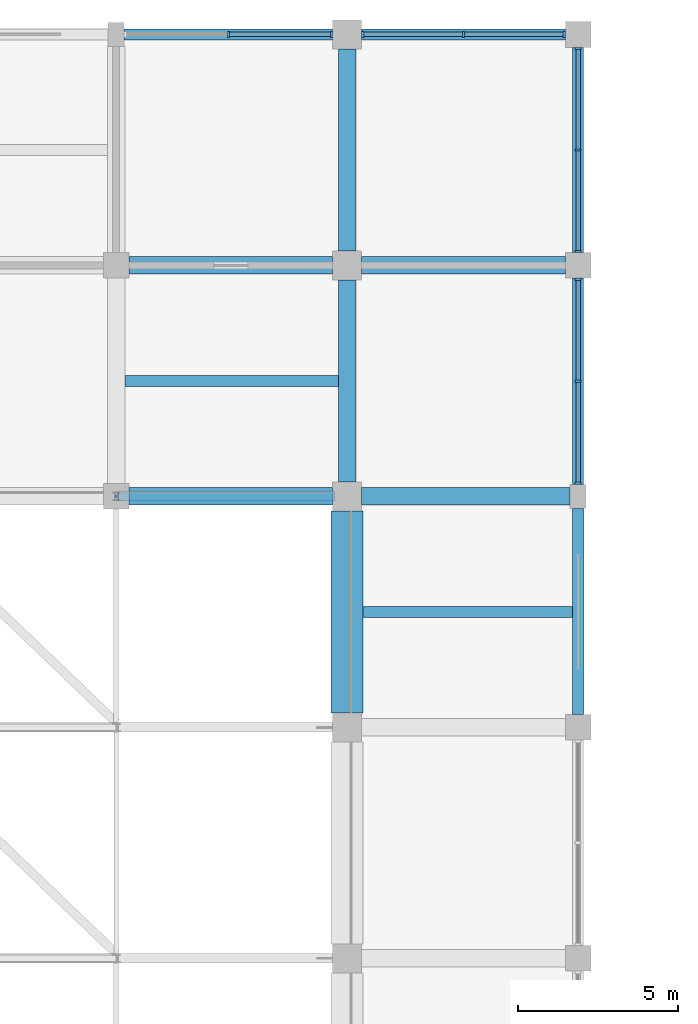
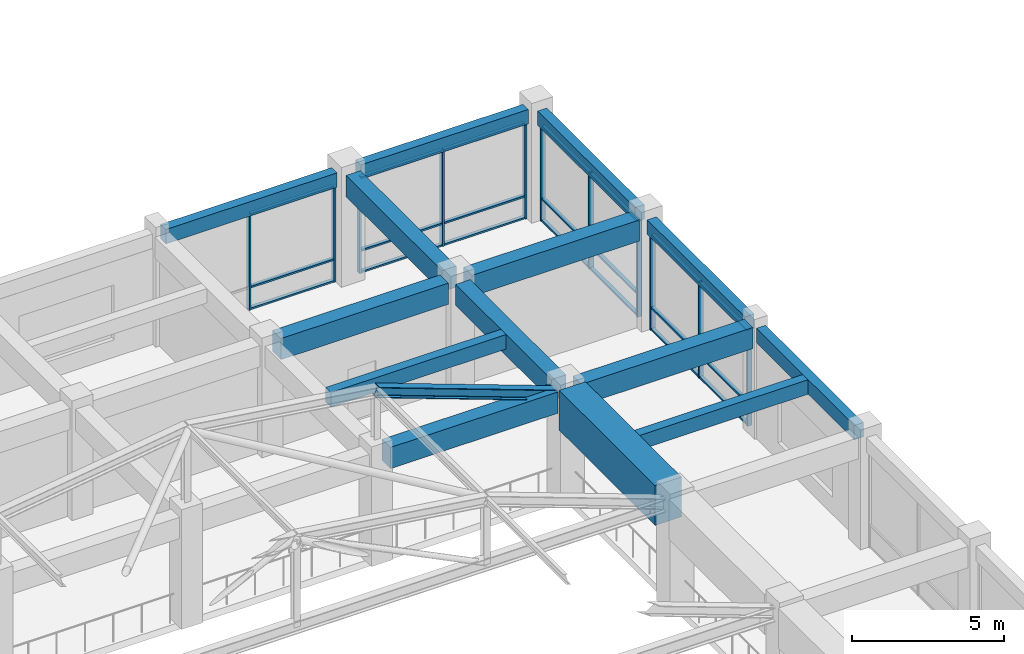
# One storey, part 27 of 75: 33 members, 14 beams, 4 elements without a shape of their own.
"""IFC4 building model written with IfcOpenShell, lengths in metres."""

from ifc_helpers import new_model, si_unit, direction, frame, origin, origin_2d, place, context, subcontext, project, spatial, rectangle, i_section, extrude, material, layer, layer_set, material_profile, profile_set, type_object, element, aggregate, save


model = new_model("IFC4")

# Units and contexts
model_context = context("Model", 3, precision=1e-05, world=origin(), true_north=direction((0.0, 1.0)))
body_context = subcontext(model_context, "Body", "Model", "MODEL_VIEW")
ifc_project = project(units=[si_unit("LENGTHUNIT", "METRE"), si_unit("AREAUNIT", "SQUARE_METRE"), si_unit("VOLUMEUNIT", "CUBIC_METRE"), si_unit("PLANEANGLEUNIT", "RADIAN"), si_unit("MASSUNIT", "GRAM", prefix="KILO")], contexts=[model_context])

# Site, building, storey
site_placement = place(None, origin())
site = spatial("IfcSite", under=ifc_project, at=site_placement, CompositionType="ELEMENT")
building_placement = place(site_placement, origin())
building = spatial("IfcBuilding", under=site, at=building_placement, Name="Cendaluz Park School", CompositionType="ELEMENT")
storey_placement = place(building_placement, frame((0.0, 0.0, 4.800048828125)))
storey = spatial("IfcBuildingStorey", under=building, at=storey_placement, Name="L01", CompositionType="ELEMENT", Elevation=4.800048828125)

# Beams
ifc_material_1 = material(Name="Concrete C40/50", Category="concrete")
ifc_material_profile_1 = material_profile(ifc_material_1, rectangle(XDim=0.550048828125, YDim=0.85009765625, at=origin_2d()), Name="RC 550x850", Category="concrete")
ifc_profile_set_1 = profile_set([ifc_material_profile_1], Name="Concrete C40/50")
beam_type_1 = type_object("IfcBeamType", Name="BM-RC01", PredefinedType="BEAM", material=ifc_profile_set_1)
for number, where, z_axis, x_axis, name in (
    (1, (29.199951171875, 100.800048828125, 4.0048828125), (1.0, 0.0, 0.0), (0.0, 1.0, 0.0), "BM-L01-BMRC01-0050"),
    (2, (29.199951171875, 108.0, 4.0048828125), (1.0, 0.0, 0.0), (0.0, 1.0, 0.0), "BM-L01-BMRC01-0051"),
):
    element("IfcBeam", number, at=place(storey_placement, frame(where, z_axis=z_axis, x_axis=x_axis)), inside=storey, type_object=beam_type_1, Name=name, PredefinedType="BEAM", context=body_context, shape_type="SweptSolid", body=[
        extrude(rectangle(XDim=0.550048828125, YDim=0.85009765625, at=origin_2d()), origin(), (0.0, 0.0, 1.0), 6.35009765625),
    ])
beam_1_placement = place(storey_placement, frame((36.449951171875, 100.800048828125, 4.0048828125), z_axis=(1.0, 0.0, 0.0), x_axis=(0.0, 1.0, 0.0)))
element("IfcBeam", 3, at=beam_1_placement, inside=storey, type_object=beam_type_1, Name="BM-L01-BMRC01-0066", PredefinedType="BEAM", context=body_context, shape_type="SweptSolid", body=[
    extrude(rectangle(XDim=0.550048828125, YDim=0.85009765625, at=origin_2d()), origin(), (0.0, 0.0, 1.0), 6.5),
])
beam_2_placement = place(storey_placement, frame((36.449951171875, 108.0, 4.0048828125), z_axis=(1.0, 0.0, 0.0), x_axis=(0.0, 1.0, 0.0)))
element("IfcBeam", 4, at=beam_2_placement, inside=storey, type_object=beam_type_1, Name="BM-L01-BMRC01-0067", PredefinedType="BEAM", context=body_context, shape_type="SweptSolid", body=[
    extrude(rectangle(XDim=0.550048828125, YDim=0.85009765625, at=origin_2d()), origin(), (0.0, 0.0, 1.0), 6.35009765625),
])
for number, where, z_axis, x_axis, name in (
    (5, (36.0, 101.25, 4.0048828125), (0.0, 1.0, 0.0), (-1.0, 0.0, 0.0), "BM-L01-BMRC01-0285"),
    (6, (36.0, 108.449951171875, 4.0048828125), (0.0, 1.0, 0.0), (-1.0, 0.0, 0.0), "BM-L01-BMRC01-0286"),
):
    element("IfcBeam", number, at=place(storey_placement, frame(where, z_axis=z_axis, x_axis=x_axis)), inside=storey, type_object=beam_type_1, Name=name, PredefinedType="BEAM", context=body_context, shape_type="SweptSolid", body=[
        extrude(rectangle(XDim=0.550048828125, YDim=0.85009765625, at=origin_2d()), origin(), (0.0, 0.0, 1.0), 6.300048828125),
    ])
ifc_material_profile_2 = material_profile(ifc_material_1, rectangle(XDim=0.35009765625, YDim=0.580078125, at=origin_2d()), Name="RC 350x580", Category="concrete")
ifc_profile_set_2 = profile_set([ifc_material_profile_2], Name="Concrete C40/50")
beam_type_2 = type_object("IfcBeamType", Name="BM-RC04", PredefinedType="LINTEL", material=ifc_profile_set_2)
beam_3_placement = place(storey_placement, frame((29.050048828125, 115.199951171875, 4.139892578125), z_axis=(1.0, 0.0, 0.0), x_axis=(0.0, 1.0, 0.0)))
element("IfcBeam", 7, at=beam_3_placement, inside=storey, type_object=beam_type_2, Name="BM-L01-BMRC04-0052", PredefinedType="LINTEL", context=body_context, shape_type="SweptSolid", body=[
    extrude(rectangle(XDim=0.35009765625, YDim=0.580078125, at=origin_2d()), origin(), (0.0, 0.0, 1.0), 6.5),
])
beam_4_placement = place(storey_placement, frame((36.449951171875, 115.199951171875, 4.139892578125), z_axis=(1.0, 0.0, 0.0), x_axis=(0.0, 1.0, 0.0)))
element("IfcBeam", 8, at=beam_4_placement, inside=storey, type_object=beam_type_2, Name="BM-L01-BMRC04-0068", PredefinedType="LINTEL", context=body_context, shape_type="SweptSolid", body=[
    extrude(rectangle(XDim=0.35009765625, YDim=0.580078125, at=origin_2d()), origin(), (0.0, 0.0, 1.0), 6.35009765625),
])
for number, where, z_axis, x_axis, name in (
    (9, (43.199951171875, 94.0, 4.139892578125), (0.0, 1.0, 0.0), (-1.0, 0.0, 0.0), "BM-L01-BMRC04-0300"),
    (10, (43.199951171875, 101.175048828125, 4.139892578125), (0.0, 1.0, 0.0), (-1.0, 0.0, 0.0), "BM-L01-BMRC04-0301"),
):
    element("IfcBeam", number, at=place(storey_placement, frame(where, z_axis=z_axis, x_axis=x_axis)), inside=storey, type_object=beam_type_2, Name=name, PredefinedType="LINTEL", context=body_context, shape_type="SweptSolid", body=[
        extrude(rectangle(XDim=0.35009765625, YDim=0.580078125, at=origin_2d()), origin(), (0.0, 0.0, 1.0), 6.425048828125),
    ])
beam_5_placement = place(storey_placement, frame((43.199951171875, 108.39990234375, 4.139892578125), z_axis=(0.0, 1.0, 0.0), x_axis=(-1.0, 0.0, 0.0)))
element("IfcBeam", 11, at=beam_5_placement, inside=storey, type_object=beam_type_2, Name="BM-L01-BMRC04-0302", PredefinedType="LINTEL", context=body_context, shape_type="SweptSolid", body=[
    extrude(rectangle(XDim=0.35009765625, YDim=0.580078125, at=origin_2d()), origin(), (0.0, 0.0, 1.0), 6.400146484375),
])

# Curtain wall, members
ifc_material_2 = material(Name="Anodised Aluminium 6063-T6", Category="aluminium")
ifc_layer_1 = layer(ifc_material_2, 0.179931640625)
ifc_layer_set_1 = layer_set([ifc_layer_1], Name="Anodised Aluminium 6063-T6")
curtain_wall_type_1 = type_object("IfcCurtainWallType", Name="CW-130x77", PredefinedType="NOTDEFINED", material=ifc_layer_set_1)
curtain_wall_1_placement = place(storey_placement, origin())
curtain_wall_1 = element("IfcCurtainWall", 12, at=curtain_wall_1_placement, inside=storey, type_object=curtain_wall_type_1, Name="CW-L01-022", PredefinedType="NOTDEFINED")
ifc_material_profile_3 = material_profile(ifc_material_2, rectangle(XDim=0.179931640625, YDim=0.070068359375, at=origin_2d()), Name="CWM 180x70", Category="aluminium")
ifc_profile_set_3 = profile_set([ifc_material_profile_3], Name="Anodised Aluminium 6063-T6")
member_type_1 = type_object("IfcMemberType", Name="CWM-01", PredefinedType="MULLION", material=ifc_profile_set_3)
member_1_placement = place(storey_placement, frame((32.300048828125, 115.199951171875, 0.0), z_axis=(0.0, 0.0, 1.0), x_axis=(0.0, 1.0, 0.0)))
member_1 = element("IfcMember", 13, at=member_1_placement, type_object=member_type_1, Name="CP-L01-0275", PredefinedType="MULLION", context=body_context, shape_type="SweptSolid", body=[
    extrude(rectangle(XDim=0.179931640625, YDim=0.070068359375, at=origin_2d()), origin(), (0.0, 0.0, 1.0), 3.849853515625),
])
member_2_placement = place(storey_placement, frame((35.514892578125, 115.199951171875, 0.0), z_axis=(0.0, 0.0, 1.0), x_axis=(0.0, 1.0, 0.0)))
member_2 = element("IfcMember", 14, at=member_2_placement, type_object=member_type_1, Name="CP-L01-0276", PredefinedType="MULLION", context=body_context, shape_type="SweptSolid", body=[
    extrude(rectangle(XDim=0.179931640625, YDim=0.070068359375, at=origin_2d()), origin(), (0.0, 0.0, 1.0), 3.849853515625),
])

ifc_layer_2 = layer(ifc_material_2, 0.179931640625)
ifc_layer_set_2 = layer_set([ifc_layer_2], Name="Anodised Aluminium 6063-T6")
curtain_wall_type_2 = type_object("IfcCurtainWallType", Name="CW-128x77", PredefinedType="NOTDEFINED", material=ifc_layer_set_2)
curtain_wall_2_placement = place(storey_placement, origin())
curtain_wall_2 = element("IfcCurtainWall", 15, at=curtain_wall_2_placement, inside=storey, type_object=curtain_wall_type_2, Name="CW-L01-031", PredefinedType="NOTDEFINED")
member_3_placement = place(storey_placement, frame((43.199951171875, 101.2099609375, 0.0), z_axis=(0.0, 0.0, 1.0), x_axis=(-1.0, 0.0, 0.0)))
member_3 = element("IfcMember", 16, at=member_3_placement, type_object=member_type_1, Name="CP-L01-0391", PredefinedType="MULLION", context=body_context, shape_type="SweptSolid", body=[
    extrude(rectangle(XDim=0.179931640625, YDim=0.070068359375, at=origin_2d()), origin(), (0.0, 0.0, 1.0), 3.849853515625),
])
member_4_placement = place(storey_placement, frame((43.199951171875, 104.387451171875, 0.0), z_axis=(0.0, 0.0, 1.0), x_axis=(-1.0, 0.0, 0.0)))
member_4 = element("IfcMember", 17, at=member_4_placement, type_object=member_type_1, Name="CP-L01-0392", PredefinedType="MULLION", context=body_context, shape_type="SweptSolid", body=[
    extrude(rectangle(XDim=0.179931640625, YDim=0.070068359375, at=origin_2d()), origin(), (0.0, 0.0, 1.0), 3.849853515625),
])
member_5_placement = place(storey_placement, frame((43.199951171875, 107.56494140625, 0.0), z_axis=(0.0, 0.0, 1.0), x_axis=(-1.0, 0.0, 0.0)))
member_5 = element("IfcMember", 18, at=member_5_placement, type_object=member_type_1, Name="CP-L01-0393", PredefinedType="MULLION", context=body_context, shape_type="SweptSolid", body=[
    extrude(rectangle(XDim=0.179931640625, YDim=0.070068359375, at=origin_2d()), origin(), (0.0, 0.0, 1.0), 3.849853515625),
])

ifc_layer_3 = layer(ifc_material_2, 0.179931640625)
ifc_layer_set_3 = layer_set([ifc_layer_3], Name="Anodised Aluminium 6063-T6")
curtain_wall_type_3 = type_object("IfcCurtainWallType", Name="CW-127x77", PredefinedType="NOTDEFINED", material=ifc_layer_set_3)
curtain_wall_3_placement = place(storey_placement, origin())
curtain_wall_3 = element("IfcCurtainWall", 19, at=curtain_wall_3_placement, inside=storey, type_object=curtain_wall_type_3, Name="CW-L01-032", PredefinedType="NOTDEFINED")
member_6_placement = place(storey_placement, frame((36.485107421875, 115.199951171875, 0.0), z_axis=(0.0, 0.0, 1.0), x_axis=(0.0, 1.0, 0.0)))
member_6 = element("IfcMember", 20, at=member_6_placement, type_object=member_type_1, Name="CP-L01-0404", PredefinedType="MULLION", context=body_context, shape_type="SweptSolid", body=[
    extrude(rectangle(XDim=0.179931640625, YDim=0.070068359375, at=origin_2d()), origin(), (0.0, 0.0, 1.0), 3.849853515625),
])
member_7_placement = place(storey_placement, frame((39.625, 115.199951171875, 0.0), z_axis=(0.0, 0.0, 1.0), x_axis=(0.0, 1.0, 0.0)))
member_7 = element("IfcMember", 21, at=member_7_placement, type_object=member_type_1, Name="CP-L01-0405", PredefinedType="MULLION", context=body_context, shape_type="SweptSolid", body=[
    extrude(rectangle(XDim=0.179931640625, YDim=0.070068359375, at=origin_2d()), origin(), (0.0, 0.0, 1.0), 3.849853515625),
])
member_8_placement = place(storey_placement, frame((42.764892578125, 115.199951171875, 0.0), z_axis=(0.0, 0.0, 1.0), x_axis=(0.0, 1.0, 0.0)))
member_8 = element("IfcMember", 22, at=member_8_placement, type_object=member_type_1, Name="CP-L01-0406", PredefinedType="MULLION", context=body_context, shape_type="SweptSolid", body=[
    extrude(rectangle(XDim=0.179931640625, YDim=0.070068359375, at=origin_2d()), origin(), (0.0, 0.0, 1.0), 3.849853515625),
])

curtain_wall_4_placement = place(storey_placement, origin())
curtain_wall_4 = element("IfcCurtainWall", 23, at=curtain_wall_4_placement, inside=storey, type_object=curtain_wall_type_2, Name="CW-L01-033", PredefinedType="NOTDEFINED")
member_9_placement = place(storey_placement, frame((43.199951171875, 108.43505859375, 0.0), z_axis=(0.0, 0.0, 1.0), x_axis=(-1.0, 0.0, 0.0)))
member_9 = element("IfcMember", 24, at=member_9_placement, type_object=member_type_1, Name="CP-L01-0417", PredefinedType="MULLION", context=body_context, shape_type="SweptSolid", body=[
    extrude(rectangle(XDim=0.179931640625, YDim=0.070068359375, at=origin_2d()), origin(), (0.0, 0.0, 1.0), 3.849853515625),
])
member_10_placement = place(storey_placement, frame((43.199951171875, 111.60009765625, 0.0), z_axis=(0.0, 0.0, 1.0), x_axis=(-1.0, 0.0, 0.0)))
member_10 = element("IfcMember", 25, at=member_10_placement, type_object=member_type_1, Name="CP-L01-0418", PredefinedType="MULLION", context=body_context, shape_type="SweptSolid", body=[
    extrude(rectangle(XDim=0.179931640625, YDim=0.070068359375, at=origin_2d()), origin(), (0.0, 0.0, 1.0), 3.849853515625),
])
member_11_placement = place(storey_placement, frame((43.199951171875, 114.764892578125, 0.0), z_axis=(0.0, 0.0, 1.0), x_axis=(-1.0, 0.0, 0.0)))
member_11 = element("IfcMember", 26, at=member_11_placement, type_object=member_type_1, Name="CP-L01-0419", PredefinedType="MULLION", context=body_context, shape_type="SweptSolid", body=[
    extrude(rectangle(XDim=0.179931640625, YDim=0.070068359375, at=origin_2d()), origin(), (0.0, 0.0, 1.0), 3.849853515625),
])

# Member
ifc_material_profile_4 = material_profile(ifc_material_2, rectangle(XDim=0.139892578125, YDim=0.070068359375, at=origin_2d()), Name="CWT 140x70", Category="aluminium")
ifc_profile_set_4 = profile_set([ifc_material_profile_4], Name="Anodised Aluminium 6063-T6")
member_type_2 = type_object("IfcMemberType", Name="CWT-01", PredefinedType="USERDEFINED", material=ifc_profile_set_4)
member_12_placement = place(storey_placement, frame((32.3349609375, 115.199951171875, 0.034912109375), z_axis=(1.0, 0.0, 0.0), x_axis=(0.0, 1.0, 0.0)))
member_12 = element("IfcMember", 27, at=member_12_placement, type_object=member_type_2, Name="CP-L01-0282", ObjectType="TRANSOM", PredefinedType="USERDEFINED", context=body_context, shape_type="SweptSolid", body=[
    extrude(rectangle(XDim=0.139892578125, YDim=0.070068359375, at=origin_2d()), origin(), (0.0, 0.0, 1.0), 3.14501953125),
])

member_13_placement = place(storey_placement, frame((32.3349609375, 115.199951171875, 0.89990234375), z_axis=(1.0, 0.0, 0.0), x_axis=(0.0, 1.0, 0.0)))
member_13 = element("IfcMember", 28, at=member_13_placement, type_object=member_type_2, Name="CP-L01-0283", ObjectType="TRANSOM", PredefinedType="USERDEFINED", context=body_context, shape_type="SweptSolid", body=[
    extrude(rectangle(XDim=0.139892578125, YDim=0.070068359375, at=origin_2d()), origin(), (0.0, 0.0, 1.0), 3.14501953125),
])

member_14_placement = place(storey_placement, frame((32.3349609375, 115.199951171875, 3.81494140625), z_axis=(1.0, 0.0, 0.0), x_axis=(0.0, 1.0, 0.0)))
member_14 = element("IfcMember", 29, at=member_14_placement, type_object=member_type_2, Name="CP-L01-0284", ObjectType="TRANSOM", PredefinedType="USERDEFINED", context=body_context, shape_type="SweptSolid", body=[
    extrude(rectangle(XDim=0.139892578125, YDim=0.070068359375, at=origin_2d()), origin(), (0.0, 0.0, 1.0), 3.14501953125),
])

aggregate(curtain_wall_1, [member_1, member_2, member_12, member_13, member_14])

member_15_placement = place(storey_placement, frame((43.199951171875, 101.2451171875, 0.034912109375), z_axis=(0.0, 1.0, 0.0), x_axis=(-1.0, 0.0, 0.0)))
member_15 = element("IfcMember", 30, at=member_15_placement, type_object=member_type_2, Name="CP-L01-0394", ObjectType="TRANSOM", PredefinedType="USERDEFINED", context=body_context, shape_type="SweptSolid", body=[
    extrude(rectangle(XDim=0.139892578125, YDim=0.070068359375, at=origin_2d()), origin(), (0.0, 0.0, 1.0), 3.107421875),
])

member_16_placement = place(storey_placement, frame((43.199951171875, 101.2451171875, 0.89990234375), z_axis=(0.0, 1.0, 0.0), x_axis=(-1.0, 0.0, 0.0)))
member_16 = element("IfcMember", 31, at=member_16_placement, type_object=member_type_2, Name="CP-L01-0395", ObjectType="TRANSOM", PredefinedType="USERDEFINED", context=body_context, shape_type="SweptSolid", body=[
    extrude(rectangle(XDim=0.139892578125, YDim=0.070068359375, at=origin_2d()), origin(), (0.0, 0.0, 1.0), 3.107421875),
])

member_17_placement = place(storey_placement, frame((43.199951171875, 101.2451171875, 3.81494140625), z_axis=(0.0, 1.0, 0.0), x_axis=(-1.0, 0.0, 0.0)))
member_17 = element("IfcMember", 32, at=member_17_placement, type_object=member_type_2, Name="CP-L01-0396", ObjectType="TRANSOM", PredefinedType="USERDEFINED", context=body_context, shape_type="SweptSolid", body=[
    extrude(rectangle(XDim=0.139892578125, YDim=0.070068359375, at=origin_2d()), origin(), (0.0, 0.0, 1.0), 3.107421875),
])

member_18_placement = place(storey_placement, frame((43.199951171875, 104.422607421875, 0.034912109375), z_axis=(0.0, 1.0, 0.0), x_axis=(-1.0, 0.0, 0.0)))
member_18 = element("IfcMember", 33, at=member_18_placement, type_object=member_type_2, Name="CP-L01-0399", ObjectType="TRANSOM", PredefinedType="USERDEFINED", context=body_context, shape_type="SweptSolid", body=[
    extrude(rectangle(XDim=0.139892578125, YDim=0.070068359375, at=origin_2d()), origin(), (0.0, 0.0, 1.0), 3.107421875),
])

member_19_placement = place(storey_placement, frame((43.199951171875, 104.422607421875, 0.89990234375), z_axis=(0.0, 1.0, 0.0), x_axis=(-1.0, 0.0, 0.0)))
member_19 = element("IfcMember", 34, at=member_19_placement, type_object=member_type_2, Name="CP-L01-0400", ObjectType="TRANSOM", PredefinedType="USERDEFINED", context=body_context, shape_type="SweptSolid", body=[
    extrude(rectangle(XDim=0.139892578125, YDim=0.070068359375, at=origin_2d()), origin(), (0.0, 0.0, 1.0), 3.107421875),
])

member_20_placement = place(storey_placement, frame((43.199951171875, 104.422607421875, 3.81494140625), z_axis=(0.0, 1.0, 0.0), x_axis=(-1.0, 0.0, 0.0)))
member_20 = element("IfcMember", 35, at=member_20_placement, type_object=member_type_2, Name="CP-L01-0401", ObjectType="TRANSOM", PredefinedType="USERDEFINED", context=body_context, shape_type="SweptSolid", body=[
    extrude(rectangle(XDim=0.139892578125, YDim=0.070068359375, at=origin_2d()), origin(), (0.0, 0.0, 1.0), 3.107421875),
])

aggregate(curtain_wall_2, [member_3, member_4, member_5, member_15, member_16, member_17, member_18, member_19, member_20])

member_21_placement = place(storey_placement, frame((36.52001953125, 115.199951171875, 0.034912109375), z_axis=(1.0, 0.0, 0.0), x_axis=(0.0, 1.0, 0.0)))
member_21 = element("IfcMember", 36, at=member_21_placement, type_object=member_type_2, Name="CP-L01-0407", ObjectType="TRANSOM", PredefinedType="USERDEFINED", context=body_context, shape_type="SweptSolid", body=[
    extrude(rectangle(XDim=0.139892578125, YDim=0.070068359375, at=origin_2d()), origin(), (0.0, 0.0, 1.0), 3.070068359375),
])

member_22_placement = place(storey_placement, frame((36.52001953125, 115.199951171875, 0.89990234375), z_axis=(1.0, 0.0, 0.0), x_axis=(0.0, 1.0, 0.0)))
member_22 = element("IfcMember", 37, at=member_22_placement, type_object=member_type_2, Name="CP-L01-0408", ObjectType="TRANSOM", PredefinedType="USERDEFINED", context=body_context, shape_type="SweptSolid", body=[
    extrude(rectangle(XDim=0.139892578125, YDim=0.070068359375, at=origin_2d()), origin(), (0.0, 0.0, 1.0), 3.070068359375),
])

member_23_placement = place(storey_placement, frame((36.52001953125, 115.199951171875, 3.81494140625), z_axis=(1.0, 0.0, 0.0), x_axis=(0.0, 1.0, 0.0)))
member_23 = element("IfcMember", 38, at=member_23_placement, type_object=member_type_2, Name="CP-L01-0409", ObjectType="TRANSOM", PredefinedType="USERDEFINED", context=body_context, shape_type="SweptSolid", body=[
    extrude(rectangle(XDim=0.139892578125, YDim=0.070068359375, at=origin_2d()), origin(), (0.0, 0.0, 1.0), 3.070068359375),
])

member_24_placement = place(storey_placement, frame((39.659912109375, 115.199951171875, 0.034912109375), z_axis=(1.0, 0.0, 0.0), x_axis=(0.0, 1.0, 0.0)))
member_24 = element("IfcMember", 39, at=member_24_placement, type_object=member_type_2, Name="CP-L01-0412", ObjectType="TRANSOM", PredefinedType="USERDEFINED", context=body_context, shape_type="SweptSolid", body=[
    extrude(rectangle(XDim=0.139892578125, YDim=0.070068359375, at=origin_2d()), origin(), (0.0, 0.0, 1.0), 3.070068359375),
])

member_25_placement = place(storey_placement, frame((39.659912109375, 115.199951171875, 0.89990234375), z_axis=(1.0, 0.0, 0.0), x_axis=(0.0, 1.0, 0.0)))
member_25 = element("IfcMember", 40, at=member_25_placement, type_object=member_type_2, Name="CP-L01-0413", ObjectType="TRANSOM", PredefinedType="USERDEFINED", context=body_context, shape_type="SweptSolid", body=[
    extrude(rectangle(XDim=0.139892578125, YDim=0.070068359375, at=origin_2d()), origin(), (0.0, 0.0, 1.0), 3.070068359375),
])

member_26_placement = place(storey_placement, frame((39.659912109375, 115.199951171875, 3.81494140625), z_axis=(1.0, 0.0, 0.0), x_axis=(0.0, 1.0, 0.0)))
member_26 = element("IfcMember", 41, at=member_26_placement, type_object=member_type_2, Name="CP-L01-0414", ObjectType="TRANSOM", PredefinedType="USERDEFINED", context=body_context, shape_type="SweptSolid", body=[
    extrude(rectangle(XDim=0.139892578125, YDim=0.070068359375, at=origin_2d()), origin(), (0.0, 0.0, 1.0), 3.070068359375),
])

aggregate(curtain_wall_3, [member_6, member_7, member_8, member_21, member_22, member_23, member_24, member_25, member_26])

member_27_placement = place(storey_placement, frame((43.199951171875, 108.469970703125, 0.034912109375), z_axis=(0.0, 1.0, 0.0), x_axis=(-1.0, 0.0, 0.0)))
member_27 = element("IfcMember", 42, at=member_27_placement, type_object=member_type_2, Name="CP-L01-0420", ObjectType="TRANSOM", PredefinedType="USERDEFINED", context=body_context, shape_type="SweptSolid", body=[
    extrude(rectangle(XDim=0.139892578125, YDim=0.070068359375, at=origin_2d()), origin(), (0.0, 0.0, 1.0), 3.094970703125),
])

member_28_placement = place(storey_placement, frame((43.199951171875, 108.469970703125, 0.89990234375), z_axis=(0.0, 1.0, 0.0), x_axis=(-1.0, 0.0, 0.0)))
member_28 = element("IfcMember", 43, at=member_28_placement, type_object=member_type_2, Name="CP-L01-0421", ObjectType="TRANSOM", PredefinedType="USERDEFINED", context=body_context, shape_type="SweptSolid", body=[
    extrude(rectangle(XDim=0.139892578125, YDim=0.070068359375, at=origin_2d()), origin(), (0.0, 0.0, 1.0), 3.094970703125),
])

member_29_placement = place(storey_placement, frame((43.199951171875, 108.469970703125, 3.81494140625), z_axis=(0.0, 1.0, 0.0), x_axis=(-1.0, 0.0, 0.0)))
member_29 = element("IfcMember", 44, at=member_29_placement, type_object=member_type_2, Name="CP-L01-0422", ObjectType="TRANSOM", PredefinedType="USERDEFINED", context=body_context, shape_type="SweptSolid", body=[
    extrude(rectangle(XDim=0.139892578125, YDim=0.070068359375, at=origin_2d()), origin(), (0.0, 0.0, 1.0), 3.094970703125),
])

member_30_placement = place(storey_placement, frame((43.199951171875, 111.635009765625, 0.034912109375), z_axis=(0.0, 1.0, 0.0), x_axis=(-1.0, 0.0, 0.0)))
member_30 = element("IfcMember", 45, at=member_30_placement, type_object=member_type_2, Name="CP-L01-0425", ObjectType="TRANSOM", PredefinedType="USERDEFINED", context=body_context, shape_type="SweptSolid", body=[
    extrude(rectangle(XDim=0.139892578125, YDim=0.070068359375, at=origin_2d()), origin(), (0.0, 0.0, 1.0), 3.094970703125),
])

member_31_placement = place(storey_placement, frame((43.199951171875, 111.635009765625, 0.89990234375), z_axis=(0.0, 1.0, 0.0), x_axis=(-1.0, 0.0, 0.0)))
member_31 = element("IfcMember", 46, at=member_31_placement, type_object=member_type_2, Name="CP-L01-0426", ObjectType="TRANSOM", PredefinedType="USERDEFINED", context=body_context, shape_type="SweptSolid", body=[
    extrude(rectangle(XDim=0.139892578125, YDim=0.070068359375, at=origin_2d()), origin(), (0.0, 0.0, 1.0), 3.094970703125),
])

member_32_placement = place(storey_placement, frame((43.199951171875, 111.635009765625, 3.81494140625), z_axis=(0.0, 1.0, 0.0), x_axis=(-1.0, 0.0, 0.0)))
member_32 = element("IfcMember", 47, at=member_32_placement, type_object=member_type_2, Name="CP-L01-0427", ObjectType="TRANSOM", PredefinedType="USERDEFINED", context=body_context, shape_type="SweptSolid", body=[
    extrude(rectangle(XDim=0.139892578125, YDim=0.070068359375, at=origin_2d()), origin(), (0.0, 0.0, 1.0), 3.094970703125),
])

aggregate(curtain_wall_4, [member_9, member_10, member_11, member_27, member_28, member_29, member_30, member_31, member_32])

# Beams
ifc_material_profile_5 = material_profile(ifc_material_1, rectangle(XDim=0.35009765625, YDim=0.580078125, at=origin_2d()), Name="RC 350x580", Category="concrete")
ifc_profile_set_5 = profile_set([ifc_material_profile_5], Name="Concrete C40/50")
beam_type_3 = type_object("IfcBeamType", Name="JT-RC01", PredefinedType="JOIST", material=ifc_profile_set_5)
beam_6_placement = place(storey_placement, frame((29.074951171875, 104.39990234375, 4.139892578125), z_axis=(1.0, 0.0, 0.0), x_axis=(0.0, 1.0, 0.0)))
element("IfcBeam", 48, at=beam_6_placement, inside=storey, type_object=beam_type_3, Name="BM-L01-JTRC01-0478", PredefinedType="JOIST", context=body_context, shape_type="SweptSolid", body=[
    extrude(rectangle(XDim=0.35009765625, YDim=0.580078125, at=origin_2d()), origin(), (0.0, 0.0, 1.0), 6.650146484375),
])
beam_7_placement = place(storey_placement, frame((36.5, 97.199951171875, 4.139892578125), z_axis=(1.0, 0.0, 0.0), x_axis=(0.0, 1.0, 0.0)))
element("IfcBeam", 49, at=beam_7_placement, inside=storey, type_object=beam_type_3, Name="BM-L01-JTRC01-0483", PredefinedType="JOIST", context=body_context, shape_type="SweptSolid", body=[
    extrude(rectangle(XDim=0.35009765625, YDim=0.580078125, at=origin_2d()), origin(), (0.0, 0.0, 1.0), 6.52490234375),
])

# Member
ifc_material_3 = material(Name="Steel S355", Category="steel")
ifc_material_profile_6 = material_profile(ifc_material_3, i_section(OverallWidth=0.300048828125, OverallDepth=0.39990234375, WebThickness=0.013916015625, FlangeThickness=0.02392578125, FilletRadius=0.027099609375, at=origin_2d()), Name="HEB 400", Category="steel")
ifc_profile_set_6 = profile_set([ifc_material_profile_6], Name="Steel S355")
member_type_3 = type_object("IfcMemberType", Name="MB-CH01", PredefinedType="CHORD", material=ifc_profile_set_6)
member_33_placement = place(storey_placement, frame((28.800048828125, 100.800048828125, 6.68994140625), z_axis=(0.939102267455, 0.0, -0.343637790793), x_axis=(0.0, 1.0, 0.0)))
element("IfcMember", 50, at=member_33_placement, inside=storey, type_object=member_type_3, Name="MB-L01-MBCH01-0056", PredefinedType="CHORD", context=body_context, shape_type="SweptSolid", body=[
    extrude(i_section(OverallWidth=0.300048828125, OverallDepth=0.39990234375, WebThickness=0.013916015625, FlangeThickness=0.02392578125, FilletRadius=0.027099609375, at=origin_2d()), origin(), (0.0, 0.0, 1.0), 7.187744140625),
])

# Beam
ifc_material_profile_7 = material_profile(ifc_material_1, rectangle(XDim=1.0, YDim=1.60009765625, at=origin_2d()), Name="RC 1000x1600", Category="concrete")
ifc_profile_set_7 = profile_set([ifc_material_profile_7], Name="Concrete C40/50")
beam_type_4 = type_object("IfcBeamType", Name="TG-RC01", PredefinedType="BEAM", material=ifc_profile_set_7)
beam_8_placement = place(storey_placement, frame((36.0, 94.050048828125, 3.820068359375), z_axis=(0.0, 1.0, 0.0), x_axis=(-1.0, 0.0, 0.0)))
element("IfcBeam", 51, at=beam_8_placement, inside=storey, type_object=beam_type_4, Name="Barrel Vault Collector Girder BM-L01-TGRC01-0284", PredefinedType="BEAM", context=body_context, shape_type="SweptSolid", body=[
    extrude(rectangle(XDim=1.0, YDim=1.60009765625, at=origin_2d()), origin(), (0.0, 0.0, 1.0), 6.300048828125),
])

save(model, "model.ifc")
